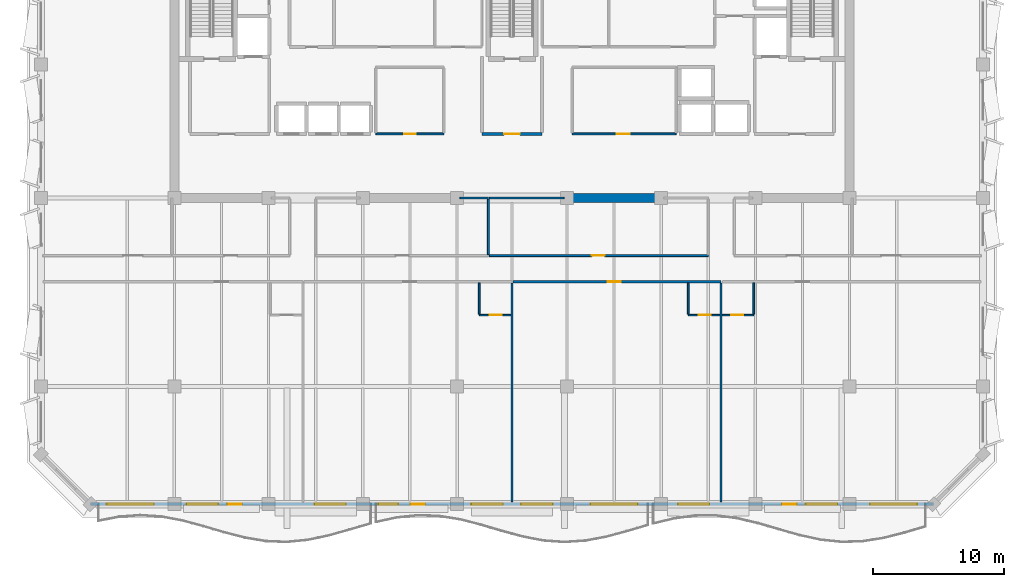
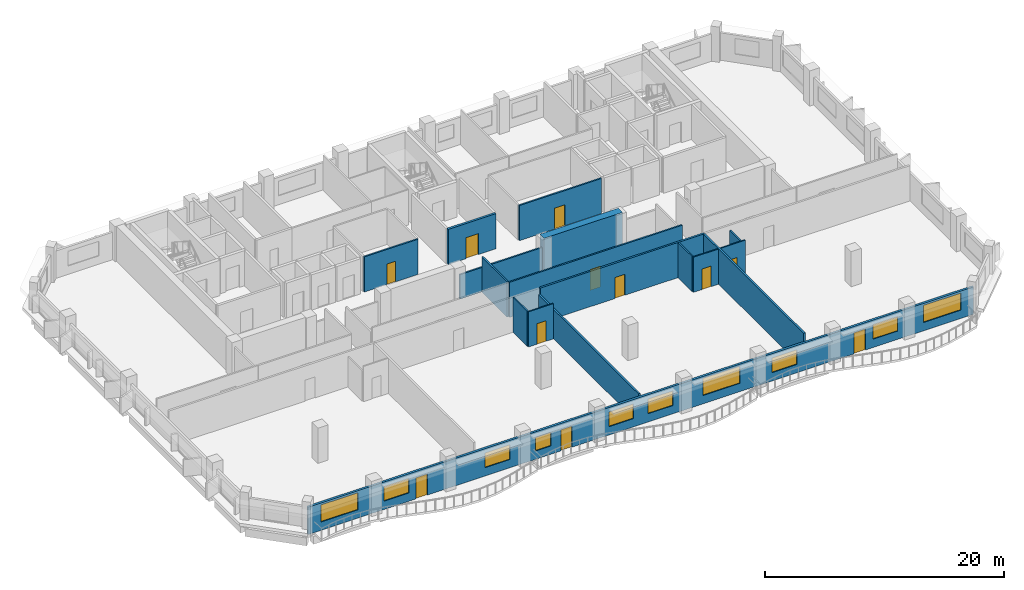
# One storey, part 4 of 11: 18 walls, 11 doors, 10 windows, 21 openings.
"""IFC4 building model written with IfcOpenShell, lengths in metres."""

from ifc_helpers import new_model, si_unit, direction, frame, frame_2d, origin, place, context, subcontext, project, spatial, rectangle, extrude, material, layer, layer_set, type_object, element, fill, save


model = new_model("IFC4")

# Units and contexts
model_context = context("Model", 3, precision=1e-05, world=origin(), true_north=direction((0.0, 1.0)))
body_context = subcontext(model_context, "Body", "Model", "MODEL_VIEW")
ifc_project = project(units=[si_unit("LENGTHUNIT", "METRE"), si_unit("AREAUNIT", "SQUARE_METRE"), si_unit("VOLUMEUNIT", "CUBIC_METRE"), si_unit("PLANEANGLEUNIT", "RADIAN"), si_unit("MASSUNIT", "GRAM", prefix="KILO")], contexts=[model_context])

# Site, building, storey
site_placement = place(None, origin())
site = spatial("IfcSite", under=ifc_project, at=site_placement, CompositionType="ELEMENT")
building_placement = place(site_placement, origin())
building = spatial("IfcBuilding", under=site, at=building_placement, Name="Kaelvorn Grand Hotel", CompositionType="ELEMENT")
storey_placement = place(building_placement, frame((0.0, 0.0, 276.550048828125)))
storey = spatial("IfcBuildingStorey", under=building, at=storey_placement, Name="L68", CompositionType="ELEMENT", Elevation=276.550048828125)

# Wall
ifc_material_1 = material(Name="Concrete C50/60", Category="concrete")
ifc_layer_1 = layer(ifc_material_1, 0.699951171875)
ifc_layer_set_1 = layer_set([ifc_layer_1], Name="Concrete C50/60")
wall_type_1 = type_object("IfcWallType", Name="WL-CORE-700-C50", PredefinedType="SHEAR", material=ifc_layer_set_1)
wall_1_placement = place(storey_placement, frame((46.0, 29.39990234375, 0.0), z_axis=(0.0, 0.0, 1.0), x_axis=(1.0, 0.0, 0.0)))
element("IfcWall", 1, at=wall_1_placement, inside=storey, type_object=wall_type_1, Name="L68 Rear-Core Coupled Shear Pier S3", PredefinedType="SHEAR", context=body_context, shape_type="SweptSolid", body=[
    extrude(rectangle(XDim=7.60009765625, YDim=0.699951171875, at=frame_2d((3.800048828125, 0.0))), origin(), (0.0, 0.0, 1.0), 3.599853515625),
])

# Wall, openings, doors, windows
ifc_material_2 = material(Name="Concrete C40/50", Category="concrete")
ifc_layer_2 = layer(ifc_material_2, 0.219970703125)
ifc_layer_set_2 = layer_set([ifc_layer_2], Name="Concrete C40/50")
wall_type_2 = type_object("IfcWallType", Name="WL-EXT-220-C40", PredefinedType="SOLIDWALL", material=ifc_layer_set_2)
wall_2_placement = place(storey_placement, frame((9.800048828125, 6.0, 0.0), z_axis=(0.0, 0.0, 1.0), x_axis=(1.0, 0.0, 0.0)))
wall_2 = element("IfcWall", 2, at=wall_2_placement, inside=storey, type_object=wall_type_2, Name="L68 Exterior Architectural Concrete Wall 01", PredefinedType="SOLIDWALL", context=body_context, shape_type="SweptSolid", body=[
    extrude(rectangle(XDim=64.39990234375, YDim=0.219970703125, at=frame_2d((32.199951171875, 0.0))), origin(), (0.0, 0.0, 1.0), 2.800048828125),
])
opening_1_placement = place(wall_2_placement, frame((10.449951171875, 0.0, 0.0)))
opening_1 = element("IfcOpeningElement", 3, at=opening_1_placement, cuts=wall_2, Name="Opening DE2", PredefinedType="OPENING", context=body_context, shape_type="SweptSolid", body=[
    extrude(rectangle(XDim=1.10009765625, YDim=2.14990234375, at=frame_2d((0.550048828125, 1.074951171875))), frame((0.0, 0.1201171875, 0.0), z_axis=(0.0, -1.0, 0.0), x_axis=(1.0, 0.0, 0.0)), (0.0, 0.0, 1.0), 0.239990234375),
])
opening_2_placement = place(wall_2_placement, frame((24.449951171875, 0.0, 0.0)))
opening_2 = element("IfcOpeningElement", 4, at=opening_2_placement, cuts=wall_2, Name="Opening DE2", PredefinedType="OPENING", context=body_context, shape_type="SweptSolid", body=[
    extrude(rectangle(XDim=1.10009765625, YDim=2.14990234375, at=frame_2d((0.550048828125, 1.074951171875))), frame((0.0, 0.1201171875, 0.0), z_axis=(0.0, -1.0, 0.0), x_axis=(1.0, 0.0, 0.0)), (0.0, 0.0, 1.0), 0.239990234375),
])
opening_3_placement = place(wall_2_placement, frame((52.85009765625, 0.0, 0.0)))
opening_3 = element("IfcOpeningElement", 5, at=opening_3_placement, cuts=wall_2, Name="Opening DE2", PredefinedType="OPENING", context=body_context, shape_type="SweptSolid", body=[
    extrude(rectangle(XDim=1.10009765625, YDim=2.14990234375, at=frame_2d((0.550048828125, 1.074951171875))), frame((0.0, 0.1201171875, 0.0), z_axis=(0.0, -1.0, 0.0), x_axis=(1.0, 0.0, 0.0)), (0.0, 0.0, 1.0), 0.239990234375),
])
opening_4_placement = place(wall_2_placement, frame((1.235107421875, 0.0, 0.85009765625)))
opening_4 = element("IfcOpeningElement", 6, at=opening_4_placement, cuts=wall_2, Name="Opening W3", PredefinedType="OPENING", context=body_context, shape_type="SweptSolid", body=[
    extrude(rectangle(XDim=3.60009765625, YDim=1.75, at=frame_2d((1.800048828125, 0.875))), frame((0.0, 0.1201171875, 0.0), z_axis=(0.0, -1.0, 0.0), x_axis=(1.0, 0.0, 0.0)), (0.0, 0.0, 1.0), 0.239990234375),
])
opening_5_placement = place(wall_2_placement, frame((7.340087890625, 0.0, 0.85009765625)))
opening_5 = element("IfcOpeningElement", 7, at=opening_5_placement, cuts=wall_2, Name="Opening W6", PredefinedType="OPENING", context=body_context, shape_type="SweptSolid", body=[
    extrude(rectangle(XDim=2.39990234375, YDim=1.5, at=frame_2d((1.199951171875, 0.75))), frame((0.0, 0.1201171875, 0.0), z_axis=(0.0, -1.0, 0.0), x_axis=(1.0, 0.0, 0.0)), (0.0, 0.0, 1.0), 0.239990234375),
])
opening_6_placement = place(wall_2_placement, frame((17.112548828125, 0.0, 0.85009765625)))
opening_6 = element("IfcOpeningElement", 8, at=opening_6_placement, cuts=wall_2, Name="Opening W6", PredefinedType="OPENING", context=body_context, shape_type="SweptSolid", body=[
    extrude(rectangle(XDim=2.39990234375, YDim=1.5, at=frame_2d((1.199951171875, 0.75))), frame((0.0, 0.1201171875, 0.0), z_axis=(0.0, -1.0, 0.0), x_axis=(1.0, 0.0, 0.0)), (0.0, 0.0, 1.0), 0.239990234375),
])
opening_7_placement = place(wall_2_placement, frame((21.989990234375, 0.0, 0.85009765625)))
opening_7 = element("IfcOpeningElement", 9, at=opening_7_placement, cuts=wall_2, Name="Opening W10", PredefinedType="OPENING", context=body_context, shape_type="SweptSolid", body=[
    extrude(rectangle(XDim=1.5, YDim=1.39990234375, at=frame_2d((0.75, 0.699951171875))), frame((0.0, 0.1201171875, 0.0), z_axis=(0.0, -1.0, 0.0), x_axis=(1.0, 0.0, 0.0)), (0.0, 0.0, 1.0), 0.239990234375),
])
opening_8_placement = place(wall_2_placement, frame((29.10009765625, 0.0, 0.85009765625)))
opening_8 = element("IfcOpeningElement", 10, at=opening_8_placement, cuts=wall_2, Name="Opening W6", PredefinedType="OPENING", context=body_context, shape_type="SweptSolid", body=[
    extrude(rectangle(XDim=2.39990234375, YDim=1.5, at=frame_2d((1.199951171875, 0.75))), frame((0.0, 0.1201171875, 0.0), z_axis=(0.0, -1.0, 0.0), x_axis=(1.0, 0.0, 0.0)), (0.0, 0.0, 1.0), 0.239990234375),
])
opening_9_placement = place(wall_2_placement, frame((32.89990234375, 0.0, 0.85009765625)))
opening_9 = element("IfcOpeningElement", 11, at=opening_9_placement, cuts=wall_2, Name="Opening W6", PredefinedType="OPENING", context=body_context, shape_type="SweptSolid", body=[
    extrude(rectangle(XDim=2.39990234375, YDim=1.5, at=frame_2d((1.199951171875, 0.75))), frame((0.0, 0.1201171875, 0.0), z_axis=(0.0, -1.0, 0.0), x_axis=(1.0, 0.0, 0.0)), (0.0, 0.0, 1.0), 0.239990234375),
])
opening_10_placement = place(wall_2_placement, frame((38.199951171875, 0.0, 0.85009765625)))
opening_10 = element("IfcOpeningElement", 12, at=opening_10_placement, cuts=wall_2, Name="Opening W3", PredefinedType="OPENING", context=body_context, shape_type="SweptSolid", body=[
    extrude(rectangle(XDim=3.60009765625, YDim=1.75, at=frame_2d((1.800048828125, 0.875))), frame((0.0, 0.1201171875, 0.0), z_axis=(0.0, -1.0, 0.0), x_axis=(1.0, 0.0, 0.0)), (0.0, 0.0, 1.0), 0.239990234375),
])
opening_11_placement = place(wall_2_placement, frame((44.887451171875, 0.0, 0.85009765625)))
opening_11 = element("IfcOpeningElement", 13, at=opening_11_placement, cuts=wall_2, Name="Opening W6", PredefinedType="OPENING", context=body_context, shape_type="SweptSolid", body=[
    extrude(rectangle(XDim=2.39990234375, YDim=1.5, at=frame_2d((1.199951171875, 0.75))), frame((0.0, 0.1201171875, 0.0), z_axis=(0.0, -1.0, 0.0), x_axis=(1.0, 0.0, 0.0)), (0.0, 0.0, 1.0), 0.239990234375),
])
opening_12_placement = place(wall_2_placement, frame((54.659912109375, 0.0, 0.85009765625)))
opening_12 = element("IfcOpeningElement", 14, at=opening_12_placement, cuts=wall_2, Name="Opening W6", PredefinedType="OPENING", context=body_context, shape_type="SweptSolid", body=[
    extrude(rectangle(XDim=2.39990234375, YDim=1.5, at=frame_2d((1.199951171875, 0.75))), frame((0.0, 0.1201171875, 0.0), z_axis=(0.0, -1.0, 0.0), x_axis=(1.0, 0.0, 0.0)), (0.0, 0.0, 1.0), 0.239990234375),
])
opening_13_placement = place(wall_2_placement, frame((59.56494140625, 0.0, 0.85009765625)))
opening_13 = element("IfcOpeningElement", 15, at=opening_13_placement, cuts=wall_2, Name="Opening W3", PredefinedType="OPENING", context=body_context, shape_type="SweptSolid", body=[
    extrude(rectangle(XDim=3.60009765625, YDim=1.75, at=frame_2d((1.800048828125, 0.875))), frame((0.0, 0.1201171875, 0.0), z_axis=(0.0, -1.0, 0.0), x_axis=(1.0, 0.0, 0.0)), (0.0, 0.0, 1.0), 0.239990234375),
])
ifc_material_3 = material(Name="Anodised Aluminium", Category="aluminium")
door_type_1 = type_object("IfcDoorType", Name="DR-EXT-BALC-1100x2150", OperationType="NOTDEFINED", PredefinedType="DOOR", material=ifc_material_3)
door_1_placement = place(opening_1_placement, origin())
door_1 = element("IfcDoor", 16, at=door_1_placement, inside=storey, type_object=door_type_1, Name="L68 Scalloped Balcony Glazed Door DE2-1", OperationType="SINGLE_SWING_LEFT", OverallHeight=2.14990234375, OverallWidth=1.10009765625, PredefinedType="DOOR", context=body_context, shape_type="SweptSolid", body=[
    extrude(rectangle(XDim=1.10009765625, YDim=2.14990234375, at=frame_2d((0.550048828125, 1.074951171875))), frame((0.0, 0.02490234375, 0.0), z_axis=(0.0, -1.0, 0.0), x_axis=(1.0, 0.0, 0.0)), (0.0, 0.0, 1.0), 0.050048828125),
])
fill(opening_1, door_1)
door_2_placement = place(opening_2_placement, origin())
door_2 = element("IfcDoor", 17, at=door_2_placement, inside=storey, type_object=door_type_1, Name="L68 Scalloped Balcony Glazed Door DE2-2", OperationType="SINGLE_SWING_RIGHT", OverallHeight=2.14990234375, OverallWidth=1.10009765625, PredefinedType="DOOR", context=body_context, shape_type="SweptSolid", body=[
    extrude(rectangle(XDim=1.10009765625, YDim=2.14990234375, at=frame_2d((0.550048828125, 1.074951171875))), frame((0.0, 0.02490234375, 0.0), z_axis=(0.0, -1.0, 0.0), x_axis=(1.0, 0.0, 0.0)), (0.0, 0.0, 1.0), 0.050048828125),
])
fill(opening_2, door_2)
door_3_placement = place(opening_3_placement, origin())
door_3 = element("IfcDoor", 18, at=door_3_placement, inside=storey, type_object=door_type_1, Name="L68 Scalloped Balcony Glazed Door DE2-3", OperationType="SINGLE_SWING_LEFT", OverallHeight=2.14990234375, OverallWidth=1.10009765625, PredefinedType="DOOR", context=body_context, shape_type="SweptSolid", body=[
    extrude(rectangle(XDim=1.10009765625, YDim=2.14990234375, at=frame_2d((0.550048828125, 1.074951171875))), frame((0.0, 0.02490234375, 0.0), z_axis=(0.0, -1.0, 0.0), x_axis=(1.0, 0.0, 0.0)), (0.0, 0.0, 1.0), 0.050048828125),
])
fill(opening_3, door_3)
ifc_material_4 = material(Name="Laminated Low-E Glass", Category="glass")
window_type_1 = type_object("IfcWindowType", Name="WIN-COR-1500x1400", PartitioningType="SINGLE_PANEL", PredefinedType="WINDOW", material=ifc_material_4)
window_1_placement = place(opening_7_placement, origin())
window_1 = element("IfcWindow", 19, at=window_1_placement, inside=storey, type_object=window_type_1, Name="L68 South Guestroom Ribbon Window SR04", OverallHeight=1.39990234375, OverallWidth=1.5, PartitioningType="SINGLE_PANEL", PredefinedType="WINDOW", context=body_context, shape_type="SweptSolid", body=[
    extrude(rectangle(XDim=1.5, YDim=1.39990234375, at=frame_2d((0.75, 0.699951171875))), frame((0.0, 0.030029296875, 0.0), z_axis=(0.0, -1.0, 0.0), x_axis=(1.0, 0.0, 0.0)), (0.0, 0.0, 1.0), 0.06005859375),
])
fill(opening_7, window_1)
window_type_2 = type_object("IfcWindowType", Name="WIN-NTH-2400x1500", PartitioningType="SINGLE_PANEL", PredefinedType="WINDOW", material=ifc_material_4)
window_2_placement = place(opening_5_placement, origin())
window_2 = element("IfcWindow", 20, at=window_2_placement, inside=storey, type_object=window_type_2, Name="L68 South Guestroom Ribbon Window SR02", OverallHeight=1.5, OverallWidth=2.39990234375, PartitioningType="SINGLE_PANEL", PredefinedType="WINDOW", context=body_context, shape_type="SweptSolid", body=[
    extrude(rectangle(XDim=2.39990234375, YDim=1.5, at=frame_2d((1.199951171875, 0.75))), frame((0.0, 0.030029296875, 0.0), z_axis=(0.0, -1.0, 0.0), x_axis=(1.0, 0.0, 0.0)), (0.0, 0.0, 1.0), 0.06005859375),
])
fill(opening_5, window_2)
window_3_placement = place(opening_6_placement, origin())
window_3 = element("IfcWindow", 21, at=window_3_placement, inside=storey, type_object=window_type_2, Name="L68 South Guestroom Ribbon Window SR03", OverallHeight=1.5, OverallWidth=2.39990234375, PartitioningType="SINGLE_PANEL", PredefinedType="WINDOW", context=body_context, shape_type="SweptSolid", body=[
    extrude(rectangle(XDim=2.39990234375, YDim=1.5, at=frame_2d((1.199951171875, 0.75))), frame((0.0, 0.030029296875, 0.0), z_axis=(0.0, -1.0, 0.0), x_axis=(1.0, 0.0, 0.0)), (0.0, 0.0, 1.0), 0.06005859375),
])
fill(opening_6, window_3)
window_4_placement = place(opening_8_placement, origin())
window_4 = element("IfcWindow", 22, at=window_4_placement, inside=storey, type_object=window_type_2, Name="L68 South Guestroom Ribbon Window SR05", OverallHeight=1.5, OverallWidth=2.39990234375, PartitioningType="SINGLE_PANEL", PredefinedType="WINDOW", context=body_context, shape_type="SweptSolid", body=[
    extrude(rectangle(XDim=2.39990234375, YDim=1.5, at=frame_2d((1.199951171875, 0.75))), frame((0.0, 0.030029296875, 0.0), z_axis=(0.0, -1.0, 0.0), x_axis=(1.0, 0.0, 0.0)), (0.0, 0.0, 1.0), 0.06005859375),
])
fill(opening_8, window_4)
window_5_placement = place(opening_9_placement, origin())
window_5 = element("IfcWindow", 23, at=window_5_placement, inside=storey, type_object=window_type_2, Name="L68 South Guestroom Ribbon Window SR06", OverallHeight=1.5, OverallWidth=2.39990234375, PartitioningType="SINGLE_PANEL", PredefinedType="WINDOW", context=body_context, shape_type="SweptSolid", body=[
    extrude(rectangle(XDim=2.39990234375, YDim=1.5, at=frame_2d((1.199951171875, 0.75))), frame((0.0, 0.030029296875, 0.0), z_axis=(0.0, -1.0, 0.0), x_axis=(1.0, 0.0, 0.0)), (0.0, 0.0, 1.0), 0.06005859375),
])
fill(opening_9, window_5)
window_6_placement = place(opening_11_placement, origin())
window_6 = element("IfcWindow", 24, at=window_6_placement, inside=storey, type_object=window_type_2, Name="L68 South Guestroom Ribbon Window SR08", OverallHeight=1.5, OverallWidth=2.39990234375, PartitioningType="SINGLE_PANEL", PredefinedType="WINDOW", context=body_context, shape_type="SweptSolid", body=[
    extrude(rectangle(XDim=2.39990234375, YDim=1.5, at=frame_2d((1.199951171875, 0.75))), frame((0.0, 0.030029296875, 0.0), z_axis=(0.0, -1.0, 0.0), x_axis=(1.0, 0.0, 0.0)), (0.0, 0.0, 1.0), 0.06005859375),
])
fill(opening_11, window_6)
window_7_placement = place(opening_12_placement, origin())
window_7 = element("IfcWindow", 25, at=window_7_placement, inside=storey, type_object=window_type_2, Name="L68 South Guestroom Ribbon Window SR09", OverallHeight=1.5, OverallWidth=2.39990234375, PartitioningType="SINGLE_PANEL", PredefinedType="WINDOW", context=body_context, shape_type="SweptSolid", body=[
    extrude(rectangle(XDim=2.39990234375, YDim=1.5, at=frame_2d((1.199951171875, 0.75))), frame((0.0, 0.030029296875, 0.0), z_axis=(0.0, -1.0, 0.0), x_axis=(1.0, 0.0, 0.0)), (0.0, 0.0, 1.0), 0.06005859375),
])
fill(opening_12, window_7)
window_type_3 = type_object("IfcWindowType", Name="WIN-RIB-3600x1750", PartitioningType="SINGLE_PANEL", PredefinedType="WINDOW", material=ifc_material_4)
window_8_placement = place(opening_4_placement, origin())
window_8 = element("IfcWindow", 26, at=window_8_placement, inside=storey, type_object=window_type_3, Name="L68 South Guestroom Ribbon Window SR01", OverallHeight=1.75, OverallWidth=3.60009765625, PartitioningType="SINGLE_PANEL", PredefinedType="WINDOW", context=body_context, shape_type="SweptSolid", body=[
    extrude(rectangle(XDim=3.60009765625, YDim=1.75, at=frame_2d((1.800048828125, 0.875))), frame((0.0, 0.030029296875, 0.0), z_axis=(0.0, -1.0, 0.0), x_axis=(1.0, 0.0, 0.0)), (0.0, 0.0, 1.0), 0.06005859375),
])
fill(opening_4, window_8)
window_9_placement = place(opening_10_placement, origin())
window_9 = element("IfcWindow", 27, at=window_9_placement, inside=storey, type_object=window_type_3, Name="L68 South Guestroom Ribbon Window SR07", OverallHeight=1.75, OverallWidth=3.60009765625, PartitioningType="SINGLE_PANEL", PredefinedType="WINDOW", context=body_context, shape_type="SweptSolid", body=[
    extrude(rectangle(XDim=3.60009765625, YDim=1.75, at=frame_2d((1.800048828125, 0.875))), frame((0.0, 0.030029296875, 0.0), z_axis=(0.0, -1.0, 0.0), x_axis=(1.0, 0.0, 0.0)), (0.0, 0.0, 1.0), 0.06005859375),
])
fill(opening_10, window_9)
window_10_placement = place(opening_13_placement, origin())
window_10 = element("IfcWindow", 28, at=window_10_placement, inside=storey, type_object=window_type_3, Name="L68 South Guestroom Ribbon Window SR10", OverallHeight=1.75, OverallWidth=3.60009765625, PartitioningType="SINGLE_PANEL", PredefinedType="WINDOW", context=body_context, shape_type="SweptSolid", body=[
    extrude(rectangle(XDim=3.60009765625, YDim=1.75, at=frame_2d((1.800048828125, 0.875))), frame((0.0, 0.030029296875, 0.0), z_axis=(0.0, -1.0, 0.0), x_axis=(1.0, 0.0, 0.0)), (0.0, 0.0, 1.0), 0.06005859375),
])
fill(opening_13, window_10)

# Wall, opening, door
ifc_material_5 = material(Name="Moisture-Resistant Tile & Stud Board")
ifc_layer_3 = layer(ifc_material_5, 0.125)
ifc_layer_set_3 = layer_set([ifc_layer_3], Name="Moisture-Resistant Tile & Stud Board")
wall_type_3 = type_object("IfcWallType", Name="WL-PART-125-WET", PredefinedType="PARTITIONING", material=ifc_layer_set_3)
wall_3_placement = place(storey_placement, frame((39.5, 20.449951171875, 0.0), z_axis=(0.0, 0.0, 1.0), x_axis=(1.0, 0.0, 0.0)))
wall_3 = element("IfcWall", 29, at=wall_3_placement, inside=storey, type_object=wall_type_3, Name="L68 En-suite Bathroom L68-02 S Partition", PredefinedType="PARTITIONING", context=body_context, shape_type="SweptSolid", body=[
    extrude(rectangle(XDim=2.405029296875, YDim=0.125, at=frame_2d((1.20263671875, 0.0))), origin(), (0.0, 0.0, 1.0), 3.599853515625),
])
opening_14_placement = place(wall_3_placement, frame((0.800048828125, 0.0, 0.0)))
opening_14 = element("IfcOpeningElement", 30, at=opening_14_placement, cuts=wall_3, Name="Opening DI4", PredefinedType="OPENING", context=body_context, shape_type="SweptSolid", body=[
    extrude(rectangle(XDim=0.89990234375, YDim=2.10009765625, at=frame_2d((0.449951171875, 1.050048828125))), frame((0.0, 0.072509765625, 0.0), z_axis=(0.0, -1.0, 0.0), x_axis=(1.0, 0.0, 0.0)), (0.0, 0.0, 1.0), 0.14501953125),
])
ifc_material_6 = material(Name="Timber Veneer Leaf", Category="wood")
door_type_2 = type_object("IfcDoorType", Name="DR-INT-BATH-900x2100", OperationType="NOTDEFINED", PredefinedType="DOOR", material=ifc_material_6)
door_4_placement = place(opening_14_placement, origin())
door_4 = element("IfcDoor", 31, at=door_4_placement, inside=storey, type_object=door_type_2, Name="L68 En-suite Bathroom L68-02 Door", OperationType="SINGLE_SWING_LEFT", OverallHeight=2.10009765625, OverallWidth=0.89990234375, PredefinedType="DOOR", context=body_context, shape_type="SweptSolid", body=[
    extrude(rectangle(XDim=0.89990234375, YDim=2.10009765625, at=frame_2d((0.449951171875, 1.050048828125))), frame((0.0, 0.02490234375, 0.0), z_axis=(0.0, -1.0, 0.0), x_axis=(1.0, 0.0, 0.0)), (0.0, 0.0, 1.0), 0.050048828125),
])
fill(opening_14, door_4)

# Wall
wall_4_placement = place(storey_placement, frame((39.5, 20.517578125, 0.0), z_axis=(0.0, 0.0, 1.0), x_axis=(0.0, 1.0, 0.0)))
element("IfcWall", 32, at=wall_4_placement, inside=storey, type_object=wall_type_3, Name="L68 En-suite Bathroom L68-02 W Partition", PredefinedType="PARTITIONING", context=body_context, shape_type="SweptSolid", body=[
    extrude(rectangle(XDim=2.387451171875, YDim=0.125, at=frame_2d((1.19384765625, 0.0))), origin(), (0.0, 0.0, 1.0), 3.599853515625),
])

# Wall, opening, door
wall_5_placement = place(storey_placement, frame((55.47509765625, 20.449951171875, 0.0), z_axis=(0.0, 0.0, 1.0), x_axis=(1.0, 0.0, 0.0)))
wall_5 = element("IfcWall", 33, at=wall_5_placement, inside=storey, type_object=wall_type_3, Name="L68 En-suite Bathroom L68-03 S Partition", PredefinedType="PARTITIONING", context=body_context, shape_type="SweptSolid", body=[
    extrude(rectangle(XDim=2.40478515625, YDim=0.125, at=frame_2d((1.202392578125, 0.0))), origin(), (0.0, 0.0, 1.0), 3.599853515625),
])
opening_15_placement = place(wall_5_placement, frame((0.800048828125, 0.0, 0.0)))
opening_15 = element("IfcOpeningElement", 34, at=opening_15_placement, cuts=wall_5, Name="Opening DI4", PredefinedType="OPENING", context=body_context, shape_type="SweptSolid", body=[
    extrude(rectangle(XDim=0.89990234375, YDim=2.10009765625, at=frame_2d((0.449951171875, 1.050048828125))), frame((0.0, 0.072509765625, 0.0), z_axis=(0.0, -1.0, 0.0), x_axis=(1.0, 0.0, 0.0)), (0.0, 0.0, 1.0), 0.14501953125),
])
door_5_placement = place(opening_15_placement, origin())
door_5 = element("IfcDoor", 35, at=door_5_placement, inside=storey, type_object=door_type_2, Name="L68 En-suite Bathroom L68-03 Door", OperationType="SINGLE_SWING_LEFT", OverallHeight=2.10009765625, OverallWidth=0.89990234375, PredefinedType="DOOR", context=body_context, shape_type="SweptSolid", body=[
    extrude(rectangle(XDim=0.89990234375, YDim=2.10009765625, at=frame_2d((0.449951171875, 1.050048828125))), frame((0.0, 0.02490234375, 0.0), z_axis=(0.0, -1.0, 0.0), x_axis=(1.0, 0.0, 0.0)), (0.0, 0.0, 1.0), 0.050048828125),
])
fill(opening_15, door_5)

# Wall
wall_6_placement = place(storey_placement, frame((55.47509765625, 20.517578125, 0.0), z_axis=(0.0, 0.0, 1.0), x_axis=(0.0, 1.0, 0.0)))
element("IfcWall", 36, at=wall_6_placement, inside=storey, type_object=wall_type_3, Name="L68 En-suite Bathroom L68-03 W Partition", PredefinedType="PARTITIONING", context=body_context, shape_type="SweptSolid", body=[
    extrude(rectangle(XDim=2.387451171875, YDim=0.125, at=frame_2d((1.19384765625, 0.0))), origin(), (0.0, 0.0, 1.0), 3.599853515625),
])

# Wall, opening, door
wall_7_placement = place(storey_placement, frame((58.070068359375, 20.449951171875, 0.0), z_axis=(0.0, 0.0, 1.0), x_axis=(1.0, 0.0, 0.0)))
wall_7 = element("IfcWall", 37, at=wall_7_placement, inside=storey, type_object=wall_type_3, Name="L68 En-suite Bathroom L68-04 S Partition", PredefinedType="PARTITIONING", context=body_context, shape_type="SweptSolid", body=[
    extrude(rectangle(XDim=2.405029296875, YDim=0.125, at=frame_2d((1.20263671875, 0.0))), origin(), (0.0, 0.0, 1.0), 3.599853515625),
])
opening_16_placement = place(wall_7_placement, frame((0.705078125, 0.0, 0.0)))
opening_16 = element("IfcOpeningElement", 38, at=opening_16_placement, cuts=wall_7, Name="Opening DI4", PredefinedType="OPENING", context=body_context, shape_type="SweptSolid", body=[
    extrude(rectangle(XDim=0.89990234375, YDim=2.10009765625, at=frame_2d((0.449951171875, 1.050048828125))), frame((0.0, 0.072509765625, 0.0), z_axis=(0.0, -1.0, 0.0), x_axis=(1.0, 0.0, 0.0)), (0.0, 0.0, 1.0), 0.14501953125),
])
door_6_placement = place(opening_16_placement, origin())
door_6 = element("IfcDoor", 39, at=door_6_placement, inside=storey, type_object=door_type_2, Name="L68 En-suite Bathroom L68-04 Door", OperationType="SINGLE_SWING_LEFT", OverallHeight=2.10009765625, OverallWidth=0.89990234375, PredefinedType="DOOR", context=body_context, shape_type="SweptSolid", body=[
    extrude(rectangle(XDim=0.89990234375, YDim=2.10009765625, at=frame_2d((0.449951171875, 1.050048828125))), frame((0.0, 0.02490234375, 0.0), z_axis=(0.0, -1.0, 0.0), x_axis=(1.0, 0.0, 0.0)), (0.0, 0.0, 1.0), 0.050048828125),
])
fill(opening_16, door_6)

# Wall
wall_8_placement = place(storey_placement, frame((60.47509765625, 20.517578125, 0.0), z_axis=(0.0, 0.0, 1.0), x_axis=(0.0, 1.0, 0.0)))
element("IfcWall", 40, at=wall_8_placement, inside=storey, type_object=wall_type_3, Name="L68 En-suite Bathroom L68-04 E Partition", PredefinedType="PARTITIONING", context=body_context, shape_type="SweptSolid", body=[
    extrude(rectangle(XDim=2.387451171875, YDim=0.125, at=frame_2d((1.19384765625, 0.0))), origin(), (0.0, 0.0, 1.0), 3.099853515625),
])

# Wall, opening, door
ifc_material_7 = material(Name="Acoustic Gypsum & Stud Partition")
ifc_layer_4 = layer(ifc_material_7, 0.14990234375)
ifc_layer_set_4 = layer_set([ifc_layer_4], Name="Acoustic Gypsum & Stud Partition")
wall_type_4 = type_object("IfcWallType", Name="WL-PART-150-EI60", PredefinedType="PARTITIONING", material=ifc_layer_set_4)
wall_9_placement = place(storey_placement, frame((31.60009765625, 34.300048828125, 0.0), z_axis=(0.0, 0.0, 1.0), x_axis=(1.0, 0.0, 0.0)))
wall_9 = element("IfcWall", 41, at=wall_9_placement, inside=storey, type_object=wall_type_4, Name="L68 Core Telecoms & BMS Server Room S Partition", PredefinedType="PARTITIONING", context=body_context, shape_type="SweptSolid", body=[
    extrude(rectangle(XDim=5.199951171875, YDim=0.14990234375, at=frame_2d((2.60009765625, 0.0))), origin(), (0.0, 0.0, 1.0), 3.599853515625),
])
opening_17_placement = place(wall_9_placement, frame((2.175048828125, 0.0, 0.0)))
opening_17 = element("IfcOpeningElement", 42, at=opening_17_placement, cuts=wall_9, Name="Opening DI7", PredefinedType="OPENING", context=body_context, shape_type="SweptSolid", body=[
    extrude(rectangle(XDim=0.85009765625, YDim=2.10009765625, at=frame_2d((0.425048828125, 1.050048828125))), frame((0.0, 0.0849609375, 0.0), z_axis=(0.0, -1.0, 0.0), x_axis=(1.0, 0.0, 0.0)), (0.0, 0.0, 1.0), 0.169921875),
])
ifc_material_8 = material(Name="Powder-Coated Steel Leaf", Category="steel")
door_type_3 = type_object("IfcDoorType", Name="DR-INT-RISER-850x2100", OperationType="NOTDEFINED", PredefinedType="DOOR", material=ifc_material_8)
door_7_placement = place(opening_17_placement, origin())
door_7 = element("IfcDoor", 43, at=door_7_placement, inside=storey, type_object=door_type_3, Name="L68 Core Telecoms & BMS Server Room Door", OperationType="SINGLE_SWING_LEFT", OverallHeight=2.10009765625, OverallWidth=0.85009765625, PredefinedType="DOOR", context=body_context, shape_type="SweptSolid", body=[
    extrude(rectangle(XDim=0.85009765625, YDim=2.10009765625, at=frame_2d((0.425048828125, 1.050048828125))), frame((0.0, 0.02490234375, 0.0), z_axis=(0.0, -1.0, 0.0), x_axis=(1.0, 0.0, 0.0)), (0.0, 0.0, 1.0), 0.050048828125),
])
fill(opening_17, door_7)

wall_10_placement = place(storey_placement, frame((46.60009765625, 34.300048828125, 0.0), z_axis=(0.0, 0.0, 1.0), x_axis=(1.0, 0.0, 0.0)))
wall_10 = element("IfcWall", 44, at=wall_10_placement, inside=storey, type_object=wall_type_4, Name="L68 Sky Concierge & Butler Pantry Lounge S Partition", PredefinedType="PARTITIONING", context=body_context, shape_type="SweptSolid", body=[
    extrude(rectangle(XDim=7.949951171875, YDim=0.14990234375, at=frame_2d((3.97509765625, 0.0))), origin(), (0.0, 0.0, 1.0), 3.599853515625),
])
opening_18_placement = place(wall_10_placement, frame((3.39990234375, 0.0, 0.0)))
opening_18 = element("IfcOpeningElement", 45, at=opening_18_placement, cuts=wall_10, Name="Opening DI3", PredefinedType="OPENING", context=body_context, shape_type="SweptSolid", body=[
    extrude(rectangle(XDim=1.0, YDim=2.14990234375, at=frame_2d((0.5, 1.074951171875))), frame((0.0, 0.0849609375, 0.0), z_axis=(0.0, -1.0, 0.0), x_axis=(1.0, 0.0, 0.0)), (0.0, 0.0, 1.0), 0.169921875),
])
ifc_material_9 = material(Name="Timber Veneer Fire Leaf", Category="wood")
door_type_4 = type_object("IfcDoorType", Name="DR-INT-GUEST-1000x2150", OperationType="NOTDEFINED", PredefinedType="DOOR", material=ifc_material_9)
door_8_placement = place(opening_18_placement, origin())
door_8 = element("IfcDoor", 46, at=door_8_placement, inside=storey, type_object=door_type_4, Name="L68 Sky Concierge & Butler Pantry Lounge Door", OperationType="SINGLE_SWING_RIGHT", OverallHeight=2.14990234375, OverallWidth=1.0, PredefinedType="DOOR", context=body_context, shape_type="SweptSolid", body=[
    extrude(rectangle(XDim=1.0, YDim=2.14990234375, at=frame_2d((0.5, 1.074951171875))), frame((0.0, 0.02490234375, 0.0), z_axis=(0.0, -1.0, 0.0), x_axis=(1.0, 0.0, 0.0)), (0.0, 0.0, 1.0), 0.050048828125),
])
fill(opening_18, door_8)

# Walls
wall_11_placement = place(storey_placement, frame((38.010009765625, 29.39990234375, 0.0), z_axis=(0.0, 0.0, 1.0), x_axis=(1.0, 0.0, 0.0)))
element("IfcWall", 47, at=wall_11_placement, inside=storey, type_object=wall_type_4, Name="L68 Guest Pantry Kitchen N Partition (2)", PredefinedType="PARTITIONING", context=body_context, shape_type="SweptSolid", body=[
    extrude(rectangle(XDim=2.18994140625, YDim=0.14990234375, at=frame_2d((1.094970703125, 0.0))), origin(), (0.0, 0.0, 1.0), 2.5),
])
wall_12_placement = place(storey_placement, frame((40.199951171875, 25.080078125, 0.0), z_axis=(0.0, 0.0, 1.0), x_axis=(0.0, 1.0, 0.0)))
element("IfcWall", 48, at=wall_12_placement, inside=storey, type_object=wall_type_4, Name="L68 Guest Pantry Kitchen E Partition", PredefinedType="PARTITIONING", context=body_context, shape_type="SweptSolid", body=[
    extrude(rectangle(XDim=4.239990234375, YDim=0.14990234375, at=frame_2d((2.1201171875, 0.0))), origin(), (0.0, 0.0, 1.0), 3.599853515625),
])

# Wall, opening, door
wall_13_placement = place(storey_placement, frame((40.280029296875, 25.0, 0.0), z_axis=(0.0, 0.0, 1.0), x_axis=(1.0, 0.0, 0.0)))
wall_13 = element("IfcWall", 49, at=wall_13_placement, inside=storey, type_object=wall_type_4, Name="L68 Diplomatic Living Room S Partition", PredefinedType="PARTITIONING", context=body_context, shape_type="SweptSolid", body=[
    extrude(rectangle(XDim=16.719970703125, YDim=0.14990234375, at=frame_2d((8.35986328125, 0.0))), origin(), (0.0, 0.0, 1.0), 3.599853515625),
])
opening_19_placement = place(wall_13_placement, frame((7.820068359375, 0.0, 0.0)))
opening_19 = element("IfcOpeningElement", 50, at=opening_19_placement, cuts=wall_13, Name="Opening DI3", PredefinedType="OPENING", context=body_context, shape_type="SweptSolid", body=[
    extrude(rectangle(XDim=1.0, YDim=2.14990234375, at=frame_2d((0.5, 1.074951171875))), frame((0.0, 0.0849609375, 0.0), z_axis=(0.0, -1.0, 0.0), x_axis=(1.0, 0.0, 0.0)), (0.0, 0.0, 1.0), 0.169921875),
])
door_9_placement = place(opening_19_placement, origin())
door_9 = element("IfcDoor", 51, at=door_9_placement, inside=storey, type_object=door_type_4, Name="L68 Diplomatic Living Room Door", OperationType="SINGLE_SWING_RIGHT", OverallHeight=2.14990234375, OverallWidth=1.0, PredefinedType="DOOR", context=body_context, shape_type="SweptSolid", body=[
    extrude(rectangle(XDim=1.0, YDim=2.14990234375, at=frame_2d((0.5, 1.074951171875))), frame((0.0, 0.02490234375, 0.0), z_axis=(0.0, -1.0, 0.0), x_axis=(1.0, 0.0, 0.0)), (0.0, 0.0, 1.0), 0.050048828125),
])
fill(opening_19, door_9)

# Walls
wall_14_placement = place(storey_placement, frame((40.280029296875, 29.39990234375, 0.0), z_axis=(0.0, 0.0, 1.0), x_axis=(1.0, 0.0, 0.0)))
element("IfcWall", 52, at=wall_14_placement, inside=storey, type_object=wall_type_4, Name="L68 Diplomatic Living Room N Partition (1)", PredefinedType="PARTITIONING", context=body_context, shape_type="SweptSolid", body=[
    extrude(rectangle(XDim=5.7099609375, YDim=0.14990234375, at=frame_2d((2.85498046875, 0.0))), origin(), (0.0, 0.0, 1.0), 2.5),
])
ifc_layer_5 = layer(ifc_material_7, 0.179931640625)
ifc_layer_set_5 = layer_set([ifc_layer_5], Name="Acoustic Gypsum & Stud Partition")
wall_type_5 = type_object("IfcWallType", Name="WL-PART-180-EI60", PredefinedType="PARTITIONING", material=ifc_layer_set_5)
wall_15_placement = place(storey_placement, frame((42.0, 6.14990234375, 0.0), z_axis=(0.0, 0.0, 1.0), x_axis=(0.0, 1.0, 0.0)))
element("IfcWall", 53, at=wall_15_placement, inside=storey, type_object=wall_type_5, Name="L68 Presidential Sky Suite L68-02 E Partition", PredefinedType="PARTITIONING", context=body_context, shape_type="SweptSolid", body=[
    extrude(rectangle(XDim=16.755126953125, YDim=0.179931640625, at=frame_2d((8.37744140625, 0.0))), origin(), (0.0, 0.0, 1.0), 3.0),
])

# Wall, opening, door
wall_16_placement = place(storey_placement, frame((42.094970703125, 23.0, 0.0), z_axis=(0.0, 0.0, 1.0), x_axis=(1.0, 0.0, 0.0)))
wall_16 = element("IfcWall", 54, at=wall_16_placement, inside=storey, type_object=wall_type_5, Name="L68 Presidential Sky Suite L68-03 N Partition", PredefinedType="PARTITIONING", context=body_context, shape_type="SweptSolid", body=[
    extrude(rectangle(XDim=15.880126953125, YDim=0.179931640625, at=frame_2d((7.93994140625, 0.0))), origin(), (0.0, 0.0, 1.0), 3.599853515625),
])
opening_20_placement = place(wall_16_placement, frame((7.205078125, 0.0, 0.0)))
opening_20 = element("IfcOpeningElement", 55, at=opening_20_placement, cuts=wall_16, Name="Opening DI3", PredefinedType="OPENING", context=body_context, shape_type="SweptSolid", body=[
    extrude(rectangle(XDim=1.0, YDim=2.14990234375, at=frame_2d((0.5, 1.074951171875))), frame((0.0, 0.10009765625, 0.0), z_axis=(0.0, -1.0, 0.0), x_axis=(1.0, 0.0, 0.0)), (0.0, 0.0, 1.0), 0.199951171875),
])
door_10_placement = place(opening_20_placement, origin())
door_10 = element("IfcDoor", 56, at=door_10_placement, inside=storey, type_object=door_type_4, Name="L68 Presidential Sky Suite L68-03 Door", OperationType="SINGLE_SWING_RIGHT", OverallHeight=2.14990234375, OverallWidth=1.0, PredefinedType="DOOR", context=body_context, shape_type="SweptSolid", body=[
    extrude(rectangle(XDim=1.0, YDim=2.14990234375, at=frame_2d((0.5, 1.074951171875))), frame((0.0, 0.02490234375, 0.0), z_axis=(0.0, -1.0, 0.0), x_axis=(1.0, 0.0, 0.0)), (0.0, 0.0, 1.0), 0.050048828125),
])
fill(opening_20, door_10)

# Wall
wall_17_placement = place(storey_placement, frame((57.97509765625, 6.14990234375, 0.0), z_axis=(0.0, 0.0, 1.0), x_axis=(0.0, 1.0, 0.0)))
element("IfcWall", 57, at=wall_17_placement, inside=storey, type_object=wall_type_5, Name="L68 Presidential Sky Suite L68-03 E Partition", PredefinedType="PARTITIONING", context=body_context, shape_type="SweptSolid", body=[
    extrude(rectangle(XDim=16.755126953125, YDim=0.179931640625, at=frame_2d((8.37744140625, 0.0))), origin(), (0.0, 0.0, 1.0), 3.599853515625),
])

# Wall, opening, door
ifc_layer_6 = layer(ifc_material_2, 0.219970703125)
ifc_layer_set_6 = layer_set([ifc_layer_6], Name="Concrete C40/50")
wall_type_6 = type_object("IfcWallType", Name="WL-PART-220-EI120", PredefinedType="PARTITIONING", material=ifc_layer_set_6)
wall_18_placement = place(storey_placement, frame((39.699951171875, 34.300048828125, 0.0), z_axis=(0.0, 0.0, 1.0), x_axis=(1.0, 0.0, 0.0)))
wall_18 = element("IfcWall", 58, at=wall_18_placement, inside=storey, type_object=wall_type_6, Name="L68 Central Stair Escape Vestibule S Partition", PredefinedType="PARTITIONING", context=body_context, shape_type="SweptSolid", body=[
    extrude(rectangle(XDim=4.60009765625, YDim=0.219970703125, at=frame_2d((2.300048828125, 0.0))), origin(), (0.0, 0.0, 1.0), 3.599853515625),
])
opening_21_placement = place(wall_18_placement, frame((1.699951171875, 0.0, 0.0)))
opening_21 = element("IfcOpeningElement", 59, at=opening_21_placement, cuts=wall_18, Name="Opening DI2", PredefinedType="OPENING", context=body_context, shape_type="SweptSolid", body=[
    extrude(rectangle(XDim=1.199951171875, YDim=2.14990234375, at=frame_2d((0.60009765625, 1.074951171875))), frame((0.0, 0.1201171875, 0.0), z_axis=(0.0, -1.0, 0.0), x_axis=(1.0, 0.0, 0.0)), (0.0, 0.0, 1.0), 0.239990234375),
])
door_type_5 = type_object("IfcDoorType", Name="DR-INT-FFLOB-1200x2150", OperationType="NOTDEFINED", PredefinedType="DOOR", material=ifc_material_9)
door_11_placement = place(opening_21_placement, origin())
door_11 = element("IfcDoor", 60, at=door_11_placement, inside=storey, type_object=door_type_5, Name="L68 Central Stair Escape Vestibule Door", OperationType="SINGLE_SWING_LEFT", OverallHeight=2.14990234375, OverallWidth=1.199951171875, PredefinedType="DOOR", context=body_context, shape_type="SweptSolid", body=[
    extrude(rectangle(XDim=1.199951171875, YDim=2.14990234375, at=frame_2d((0.60009765625, 1.074951171875))), frame((0.0, 0.02490234375, 0.0), z_axis=(0.0, -1.0, 0.0), x_axis=(1.0, 0.0, 0.0)), (0.0, 0.0, 1.0), 0.050048828125),
])
fill(opening_21, door_11)

save(model, "model.ifc")
